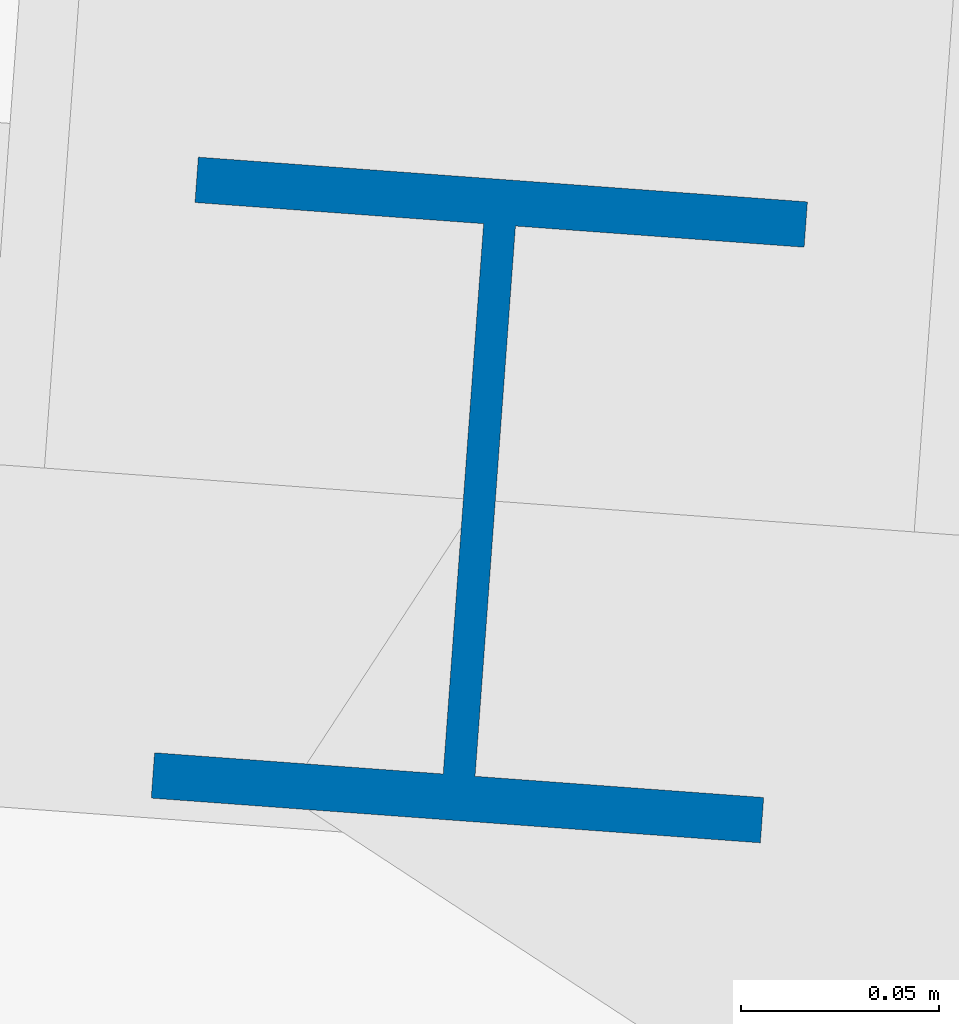
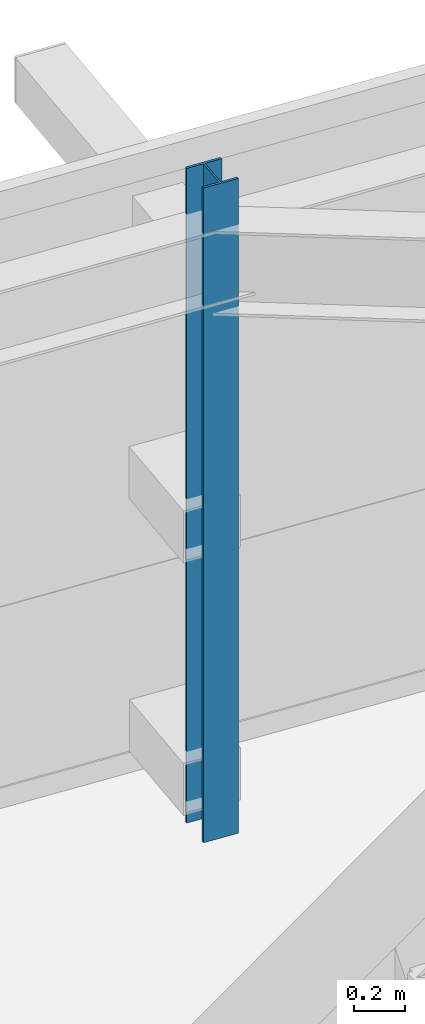
# One storey, part 8 of 42: 1 column.
"""IFC4 building model written with IfcOpenShell, lengths in metres."""

from ifc_helpers import new_model, si_unit, direction, frame, origin, origin_2d, place, context, subcontext, project, spatial, i_section, extrude, source, transform, mapped, material, material_profile, profile_set, type_object, element, save


model = new_model("IFC4")

# Units and contexts
model_context = context("Model", 3, precision=1e-05, world=origin(), true_north=direction((0.0, 1.0)))
body_context = subcontext(model_context, "Body", "Model", "MODEL_VIEW")
ifc_project = project(units=[si_unit("LENGTHUNIT", "METRE"), si_unit("AREAUNIT", "SQUARE_METRE"), si_unit("VOLUMEUNIT", "CUBIC_METRE"), si_unit("PLANEANGLEUNIT", "RADIAN"), si_unit("MASSUNIT", "GRAM", prefix="KILO")], contexts=[model_context])

# Site, building, storey
site_placement = place(None, origin())
site = spatial("IfcSite", under=ifc_project, at=site_placement, CompositionType="ELEMENT")
building_placement = place(site_placement, origin())
building = spatial("IfcBuilding", under=site, at=building_placement, Name="Taldren Reach Tower", CompositionType="ELEMENT")
storey_placement = place(building_placement, frame((0.0, 0.0, 217.699951171875)))
storey = spatial("IfcBuildingStorey", under=building, at=storey_placement, Name="L66", CompositionType="ELEMENT", Elevation=217.699951171875)

# Column
ifc_material = material(Name="Steel Gr 350 (350PLUS)", Category="steel")
ifc_material_profile = material_profile(ifc_material, i_section(OverallWidth=0.154052734375, OverallDepth=0.162109375, WebThickness=0.008056640625, FlangeThickness=0.011474609375, at=origin_2d()), Name="150UC37.2")
ifc_profile_set = profile_set([ifc_material_profile], Name="Steel Gr 350 (350PLUS)")
column_type = type_object("IfcColumnType", Name="COL-UC150", PredefinedType="COLUMN", material=ifc_profile_set)
shared_shape = source(origin(), body_context, "Body", "SweptSolid", [
    extrude(i_section(OverallWidth=0.154052734375, OverallDepth=0.162109375, WebThickness=0.008056640625, FlangeThickness=0.011474609375, at=origin_2d()), origin(), (0.0, 0.0, 1.0), 3.150146484375),
])
column_placement = place(storey_placement, frame((47.199462890625, 34.487548828125, 0.0), z_axis=(0.0, 0.0, 1.0), x_axis=(0.997314477224, -0.073238197128, 0.0)))
element("IfcColumn", 1, at=column_placement, inside=storey, type_object=column_type, Name="Block B5 perimeter column N5 L66", PredefinedType="COLUMN", context=body_context, shape_type="MappedRepresentation", body=[
    mapped(shared_shape, transform((0.0, 0.0, 0.0), scale=1.0)),
])

save(model, "model.ifc")
